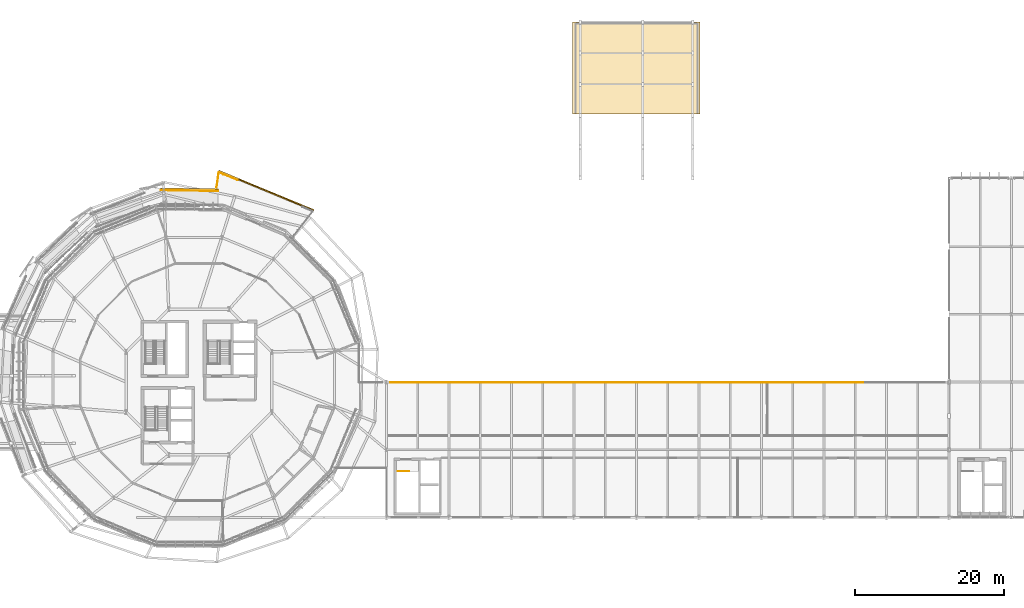
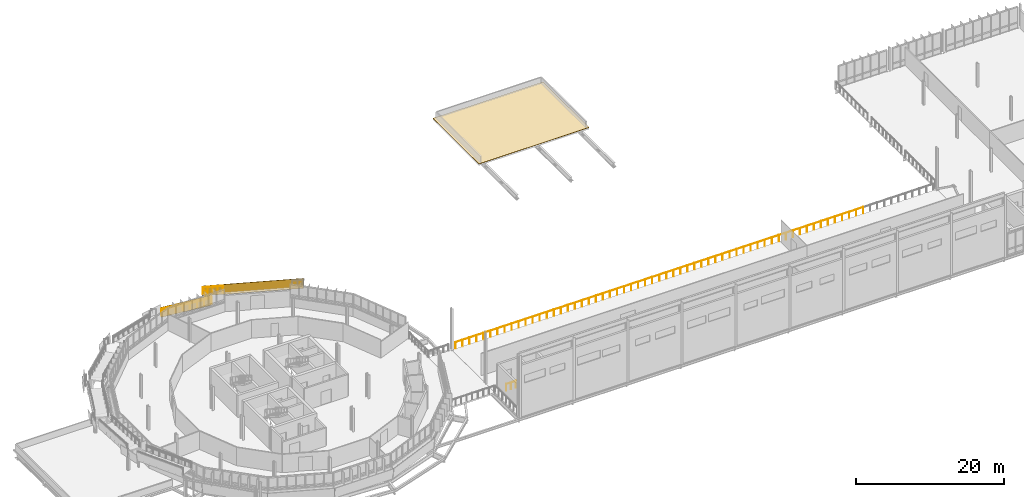
# One storey, part 59 of 61: 35 railings, 3 coverings, 1 element without a shape of its own.
"""IFC4 building model written with IfcOpenShell, lengths in metres."""

from ifc_helpers import new_model, si_unit, derived_unit, direction, frame, origin, origin_2d, place, context, subcontext, project, spatial, polyline, circle, outline, extrude, material, layer, layer_set, type_object, element, aggregate, save


model = new_model("IFC4")

# Units and contexts
model_context = context("Model", 3, precision=1e-05, world=origin(), true_north=direction((0.0, 1.0)))
body_context = subcontext(model_context, "Body", "Model", "MODEL_VIEW")
ifc_project = project(units=[si_unit("LENGTHUNIT", "METRE"), si_unit("AREAUNIT", "SQUARE_METRE"), si_unit("VOLUMEUNIT", "CUBIC_METRE"), si_unit("PLANEANGLEUNIT", "RADIAN"), si_unit("MASSUNIT", "GRAM", prefix="KILO"), derived_unit("THERMALTRANSMITTANCEUNIT", [(si_unit("MASSUNIT", "GRAM", prefix="KILO"), 1), (si_unit("TIMEUNIT", "SECOND"), -3), (si_unit("THERMODYNAMICTEMPERATUREUNIT", "KELVIN"), -1)])], contexts=[model_context])

# Site, building, storey
site_placement = place(None, origin())
site = spatial("IfcSite", under=ifc_project, at=site_placement, CompositionType="ELEMENT")
building_placement = place(site_placement, origin())
building = spatial("IfcBuilding", under=site, at=building_placement, Name="Makaiwela Harbour Ferry Terminal", CompositionType="ELEMENT")
storey_placement = place(building_placement, frame((0.0, 0.0, 13.800048828125)))
storey = spatial("IfcBuildingStorey", under=building, at=storey_placement, Name="L03", CompositionType="ELEMENT", Elevation=13.800048828125)

# Roof, covering
ifc_material_1 = material(Name="Standing-seam marine zinc roofing", Category="aluminium")
ifc_layer_1 = layer(ifc_material_1, 0.219970703125)
ifc_layer_set_1 = layer_set([ifc_layer_1], Name="Standing-seam marine zinc roofing")
roof_type = type_object("IfcRoofType", Name="RF-FLAT-01", PredefinedType="FLAT_ROOF", material=ifc_layer_set_1)
roof_placement = place(storey_placement, origin())
roof = element("IfcRoof", 1, at=roof_placement, inside=storey, type_object=roof_type, Name="Roof Assembly RF-01", PredefinedType="FLAT_ROOF")
ifc_layer_2 = layer(ifc_material_1, 0.044921875)
ifc_layer_set_2 = layer_set([ifc_layer_2], Name="Standing-seam marine zinc roofing")
covering_type_1 = type_object("IfcCoveringType", Name="COV-ROOF-ZINC", PredefinedType="ROOFING", material=ifc_layer_set_2)
covering_1_placement = place(storey_placement, origin())
covering_1 = element("IfcCovering", 2, at=covering_1_placement, type_object=covering_type_1, Name="Architectural Covering RFG-01", PredefinedType="ROOFING", context=body_context, shape_type="SweptSolid", body=[
    extrude(outline(polyline([(88.02001953125, 103.60009765625), (105.179931640625, 103.60009765625), (105.179931640625, 116.0), (88.02001953125, 116.0), (88.02001953125, 103.60009765625)])), origin(), (0.0, 0.0, 1.0), 0.044921875),
])
aggregate(roof, [covering_1])

# Coverings
ifc_material_2 = material(Name="White glazed marine ceramic rainscreen tile", Category="masonry")
ifc_layer_3 = layer(ifc_material_2, 0.054931640625)
ifc_layer_set_3 = layer_set([ifc_layer_3], Name="White glazed marine ceramic rainscreen tile")
covering_type_2 = type_object("IfcCoveringType", Name="ENV-CLD-CERAMIC", PredefinedType="CLADDING", material=ifc_layer_set_3)
covering_2_placement = place(storey_placement, frame((53.181884765625, 90.550048828125, -0.340087890625), z_axis=(-0.380368791378, -0.918281535408, 0.10990270367), x_axis=(-0.923878080725, 0.382686937267, -3.69527e-07)))
element("IfcCovering", 3, at=covering_2_placement, inside=storey, type_object=covering_type_2, Name="Coiled Ramp Ceramic Fascia CLD-R0003", PredefinedType="CLADDING", context=body_context, shape_type="SweptSolid", body=[
    extrude(outline(polyline([(0.0, 0.0), (13.809487838534082, -1.1102230246251565e-16), (13.809361563660456, -1.5292885283672115), (9.928129842668751e-05, -1.5292782603033113), (0.0, 0.0)])), origin(), (0.0, 0.0, -1.0), 0.054931640625),
])
covering_3_placement = place(storey_placement, frame((40.362548828125, 93.314697265625, -0.340087890625), z_axis=(-0.006558653451, -0.993917424488, 0.109932421805), x_axis=(-0.996325173542, 0.015883699093, 0.084165650171)))
element("IfcCovering", 4, at=covering_3_placement, inside=storey, type_object=covering_type_2, Name="Coiled Ramp Ceramic Fascia CLD-R0050", PredefinedType="CLADDING", context=body_context, shape_type="SweptSolid", body=[
    extrude(outline(polyline([(0.0, 0.0), (7.724429977765887, 1.1102230246251565e-16), (7.852339026613645, -1.5236992103922073), (0.12792571924597007, -1.5239143941569087), (0.0, 0.0)])), origin(), (0.0, 0.0, -1.0), 0.054931640625),
])

# Railings
ifc_material_3 = material(Name="Marine grade 316L brushed stainless steel", Category="steel")
railing_type_1 = type_object("IfcRailingType", Name="INT-RL-GRD110", PredefinedType="GUARDRAIL", material=ifc_material_3)
railing_1_placement = place(storey_placement, frame((64.570068359375, 55.60009765625, 0.0)))
element("IfcRailing", 5, at=railing_1_placement, inside=storey, type_object=railing_type_1, Name="Stair top well guardrail RL-0070", PredefinedType="GUARDRAIL", context=body_context, shape_type="SweptSolid", body=[
    extrude(circle(Radius=0.02392578125, at=origin_2d()), frame((0.0, 0.0, 1.09619140625), z_axis=(1.0, 0.0, 0.0), x_axis=(0.0, 1.0, 0.0)), (0.0, 0.0, 1.0), 1.47998046875),
    extrude(circle(Radius=0.02099609375, at=origin_2d()), origin(), (0.0, 0.0, 1.0), 1.072021484375),
    extrude(circle(Radius=0.02099609375, at=origin_2d()), frame((0.739990234375, 0.0, 0.0)), (0.0, 0.0, 1.0), 1.072021484375),
    extrude(circle(Radius=0.02099609375, at=origin_2d()), frame((1.47998046875, 0.0, 0.0)), (0.0, 0.0, 1.0), 1.072021484375),
])
railing_2_placement = place(storey_placement, frame((40.361572265625, 93.257568359375, 0.0)))
element("IfcRailing", 6, at=railing_2_placement, inside=storey, type_object=railing_type_1, Name="Ramp guardrail RL-0195", PredefinedType="GUARDRAIL", context=body_context, shape_type="SweptSolid", body=[
    extrude(circle(Radius=0.02392578125, at=origin_2d()), frame((0.0, 0.0, 1.09619140625), z_axis=(-0.996327437629, 0.015898001495, 0.084136143101), x_axis=(-0.015954572122, -0.999872717714, 0.0)), (0.0, 0.0, 1.0), 7.724365234375),
    extrude(circle(Radius=0.02099609375, at=origin_2d()), origin(), (0.0, 0.0, 1.0), 1.072021484375),
    extrude(circle(Radius=0.02099609375, at=origin_2d()), frame((-1.099365234375, 0.017578125, 0.0927734375)), (0.0, 0.0, 1.0), 1.072021484375),
    extrude(circle(Radius=0.02099609375, at=origin_2d()), frame((-2.198974609375, 0.03515625, 0.185791015625)), (0.0, 0.0, 1.0), 1.072021484375),
    extrude(circle(Radius=0.02099609375, at=origin_2d()), frame((-3.29833984375, 0.052734375, 0.278564453125)), (0.0, 0.0, 1.0), 1.072021484375),
    extrude(circle(Radius=0.02099609375, at=origin_2d()), frame((-4.397705078125, 0.070068359375, 0.371337890625)), (0.0, 0.0, 1.0), 1.072021484375),
    extrude(circle(Radius=0.02099609375, at=origin_2d()), frame((-5.4970703125, 0.087646484375, 0.464111328125)), (0.0, 0.0, 1.0), 1.072021484375),
    extrude(circle(Radius=0.02099609375, at=origin_2d()), frame((-6.5966796875, 0.105224609375, 0.55712890625)), (0.0, 0.0, 1.0), 1.072021484375),
    extrude(circle(Radius=0.02099609375, at=origin_2d()), frame((-7.696044921875, 0.122802734375, 0.64990234375)), (0.0, 0.0, 1.0), 1.072021484375),
])
railing_3_placement = place(storey_placement, frame((40.174560546875, 93.74609375, 0.0)))
element("IfcRailing", 7, at=railing_3_placement, inside=storey, type_object=railing_type_1, Name="Deck edge guardrail RL-0647", PredefinedType="GUARDRAIL", context=body_context, shape_type="SweptSolid", body=[
    extrude(circle(Radius=0.02392578125, at=origin_2d()), frame((0.0, 0.0, 1.09619140625), z_axis=(0.139985580281, 0.990153542292, 0.0), x_axis=(-0.990153542292, 0.139985580281, 0.0)), (0.0, 0.0, 1.0), 2.047607421875),
    extrude(circle(Radius=0.02099609375, at=origin_2d()), origin(), (0.0, 0.0, 1.0), 1.072021484375),
    extrude(circle(Radius=0.02099609375, at=origin_2d()), frame((0.143310546875, 1.013671875, 0.0)), (0.0, 0.0, 1.0), 1.072021484375),
    extrude(circle(Radius=0.02099609375, at=origin_2d()), frame((0.28662109375, 2.02734375, 0.0)), (0.0, 0.0, 1.0), 1.072021484375),
])
railing_4_placement = place(storey_placement, frame((40.461181640625, 95.7734375, 0.0)))
element("IfcRailing", 8, at=railing_4_placement, inside=storey, type_object=railing_type_1, Name="Deck edge guardrail RL-0648", PredefinedType="GUARDRAIL", context=body_context, shape_type="SweptSolid", body=[
    extrude(circle(Radius=0.02392578125, at=origin_2d()), frame((0.0, 0.0, 1.09619140625), z_axis=(0.923897370276, -0.382640365352, 0.0), x_axis=(0.382640365352, 0.923897370276, 0.0)), (0.0, 0.0, 1.0), 1.369873046875),
    extrude(circle(Radius=0.02099609375, at=origin_2d()), origin(), (0.0, 0.0, 1.0), 1.072021484375),
    extrude(circle(Radius=0.02099609375, at=origin_2d()), frame((0.6328125, -0.26220703125, 0.0)), (0.0, 0.0, 1.0), 1.072021484375),
    extrude(circle(Radius=0.02099609375, at=origin_2d()), frame((1.265625, -0.524169921875, 0.0)), (0.0, 0.0, 1.0), 1.072021484375),
])
railing_5_placement = place(storey_placement, frame((41.726806640625, 95.249267578125, 0.0)))
element("IfcRailing", 9, at=railing_5_placement, inside=storey, type_object=railing_type_1, Name="Deck edge guardrail RL-0649", PredefinedType="GUARDRAIL", context=body_context, shape_type="SweptSolid", body=[
    extrude(circle(Radius=0.02392578125, at=origin_2d()), frame((0.0, 0.0, 1.09619140625), z_axis=(0.923871269851, -0.382703379582, 0.0), x_axis=(0.382703379582, 0.923871269851, 0.0)), (0.0, 0.0, 1.0), 1.36962890625),
    extrude(circle(Radius=0.02099609375, at=origin_2d()), origin(), (0.0, 0.0, 1.0), 1.072021484375),
    extrude(circle(Radius=0.02099609375, at=origin_2d()), frame((0.6328125, -0.26220703125, 0.0)), (0.0, 0.0, 1.0), 1.072021484375),
    extrude(circle(Radius=0.02099609375, at=origin_2d()), frame((1.265380859375, -0.524169921875, 0.0)), (0.0, 0.0, 1.0), 1.072021484375),
])
railing_6_placement = place(storey_placement, frame((63.5478515625, 67.554931640625, 0.0)))
element("IfcRailing", 10, at=railing_6_placement, inside=storey, type_object=railing_type_1, Name="Deck edge guardrail RL-0667", PredefinedType="GUARDRAIL", context=body_context, shape_type="SweptSolid", body=[
    extrude(circle(Radius=0.02392578125, at=origin_2d()), frame((0.0, 0.0, 1.09619140625), z_axis=(1.0, 0.0, 0.0), x_axis=(0.0, 1.0, 0.0)), (0.0, 0.0, 1.0), 2.191162109375),
    extrude(circle(Radius=0.02099609375, at=origin_2d()), origin(), (0.0, 0.0, 1.0), 1.072021484375),
    extrude(circle(Radius=0.02099609375, at=origin_2d()), frame((1.095703125, 0.0, 0.0)), (0.0, 0.0, 1.0), 1.072021484375),
    extrude(circle(Radius=0.02099609375, at=origin_2d()), frame((2.191162109375, 0.0, 0.0)), (0.0, 0.0, 1.0), 1.072021484375),
])
railing_7_placement = place(storey_placement, frame((65.739013671875, 67.554931640625, 0.0)))
element("IfcRailing", 11, at=railing_7_placement, inside=storey, type_object=railing_type_1, Name="Deck edge guardrail RL-0668", PredefinedType="GUARDRAIL", context=body_context, shape_type="SweptSolid", body=[
    extrude(circle(Radius=0.02392578125, at=origin_2d()), frame((0.0, 0.0, 1.09619140625), z_axis=(1.0, 0.0, 0.0), x_axis=(0.0, 1.0, 0.0)), (0.0, 0.0, 1.0), 2.19140625),
    extrude(circle(Radius=0.02099609375, at=origin_2d()), origin(), (0.0, 0.0, 1.0), 1.072021484375),
    extrude(circle(Radius=0.02099609375, at=origin_2d()), frame((1.095703125, 0.0, 0.0)), (0.0, 0.0, 1.0), 1.072021484375),
    extrude(circle(Radius=0.02099609375, at=origin_2d()), frame((2.19140625, 0.0, 0.0)), (0.0, 0.0, 1.0), 1.072021484375),
])
railing_8_placement = place(storey_placement, frame((67.930419921875, 67.554931640625, 0.0)))
element("IfcRailing", 12, at=railing_8_placement, inside=storey, type_object=railing_type_1, Name="Deck edge guardrail RL-0669", PredefinedType="GUARDRAIL", context=body_context, shape_type="SweptSolid", body=[
    extrude(circle(Radius=0.02392578125, at=origin_2d()), frame((0.0, 0.0, 1.09619140625), z_axis=(1.0, 0.0, 0.0), x_axis=(0.0, 1.0, 0.0)), (0.0, 0.0, 1.0), 2.191162109375),
    extrude(circle(Radius=0.02099609375, at=origin_2d()), origin(), (0.0, 0.0, 1.0), 1.072021484375),
    extrude(circle(Radius=0.02099609375, at=origin_2d()), frame((1.095703125, 0.0, 0.0)), (0.0, 0.0, 1.0), 1.072021484375),
    extrude(circle(Radius=0.02099609375, at=origin_2d()), frame((2.191162109375, 0.0, 0.0)), (0.0, 0.0, 1.0), 1.072021484375),
])
for number, where, name in (
    (13, (70.12158203125, 67.554931640625, 0.0), "Deck edge guardrail RL-0670"),
    (14, (72.31298828125, 67.554931640625, 0.0), "Deck edge guardrail RL-0671"),
):
    element("IfcRailing", number, at=place(storey_placement, frame(where)), inside=storey, type_object=railing_type_1, Name=name, PredefinedType="GUARDRAIL", context=body_context, shape_type="SweptSolid", body=[
        extrude(circle(Radius=0.02392578125, at=origin_2d()), frame((0.0, 0.0, 1.09619140625), z_axis=(1.0, 0.0, 0.0), x_axis=(0.0, 1.0, 0.0)), (0.0, 0.0, 1.0), 2.19140625),
        extrude(circle(Radius=0.02099609375, at=origin_2d()), origin(), (0.0, 0.0, 1.0), 1.072021484375),
        extrude(circle(Radius=0.02099609375, at=origin_2d()), frame((1.095703125, 0.0, 0.0)), (0.0, 0.0, 1.0), 1.072021484375),
        extrude(circle(Radius=0.02099609375, at=origin_2d()), frame((2.19140625, 0.0, 0.0)), (0.0, 0.0, 1.0), 1.072021484375),
    ])
railing_9_placement = place(storey_placement, frame((74.50439453125, 67.554931640625, 0.0)))
element("IfcRailing", 15, at=railing_9_placement, inside=storey, type_object=railing_type_1, Name="Deck edge guardrail RL-0672", PredefinedType="GUARDRAIL", context=body_context, shape_type="SweptSolid", body=[
    extrude(circle(Radius=0.02392578125, at=origin_2d()), frame((0.0, 0.0, 1.09619140625), z_axis=(1.0, 0.0, 0.0), x_axis=(0.0, 1.0, 0.0)), (0.0, 0.0, 1.0), 2.191162109375),
    extrude(circle(Radius=0.02099609375, at=origin_2d()), origin(), (0.0, 0.0, 1.0), 1.072021484375),
    extrude(circle(Radius=0.02099609375, at=origin_2d()), frame((1.095703125, 0.0, 0.0)), (0.0, 0.0, 1.0), 1.072021484375),
    extrude(circle(Radius=0.02099609375, at=origin_2d()), frame((2.191162109375, 0.0, 0.0)), (0.0, 0.0, 1.0), 1.072021484375),
])
railing_10_placement = place(storey_placement, frame((76.695556640625, 67.554931640625, 0.0)))
element("IfcRailing", 16, at=railing_10_placement, inside=storey, type_object=railing_type_1, Name="Deck edge guardrail RL-0673", PredefinedType="GUARDRAIL", context=body_context, shape_type="SweptSolid", body=[
    extrude(circle(Radius=0.02392578125, at=origin_2d()), frame((0.0, 0.0, 1.09619140625), z_axis=(1.0, 0.0, 0.0), x_axis=(0.0, 1.0, 0.0)), (0.0, 0.0, 1.0), 2.19140625),
    extrude(circle(Radius=0.02099609375, at=origin_2d()), origin(), (0.0, 0.0, 1.0), 1.072021484375),
    extrude(circle(Radius=0.02099609375, at=origin_2d()), frame((1.095703125, 0.0, 0.0)), (0.0, 0.0, 1.0), 1.072021484375),
    extrude(circle(Radius=0.02099609375, at=origin_2d()), frame((2.19140625, 0.0, 0.0)), (0.0, 0.0, 1.0), 1.072021484375),
])
railing_11_placement = place(storey_placement, frame((78.886962890625, 67.554931640625, 0.0)))
element("IfcRailing", 17, at=railing_11_placement, inside=storey, type_object=railing_type_1, Name="Deck edge guardrail RL-0674", PredefinedType="GUARDRAIL", context=body_context, shape_type="SweptSolid", body=[
    extrude(circle(Radius=0.02392578125, at=origin_2d()), frame((0.0, 0.0, 1.09619140625), z_axis=(1.0, 0.0, 0.0), x_axis=(0.0, 1.0, 0.0)), (0.0, 0.0, 1.0), 2.191162109375),
    extrude(circle(Radius=0.02099609375, at=origin_2d()), origin(), (0.0, 0.0, 1.0), 1.072021484375),
    extrude(circle(Radius=0.02099609375, at=origin_2d()), frame((1.095703125, 0.0, 0.0)), (0.0, 0.0, 1.0), 1.072021484375),
    extrude(circle(Radius=0.02099609375, at=origin_2d()), frame((2.191162109375, 0.0, 0.0)), (0.0, 0.0, 1.0), 1.072021484375),
])
for number, where, name in (
    (18, (81.078125, 67.554931640625, 0.0), "Deck edge guardrail RL-0675"),
    (19, (83.26953125, 67.554931640625, 0.0), "Deck edge guardrail RL-0676"),
):
    element("IfcRailing", number, at=place(storey_placement, frame(where)), inside=storey, type_object=railing_type_1, Name=name, PredefinedType="GUARDRAIL", context=body_context, shape_type="SweptSolid", body=[
        extrude(circle(Radius=0.02392578125, at=origin_2d()), frame((0.0, 0.0, 1.09619140625), z_axis=(1.0, 0.0, 0.0), x_axis=(0.0, 1.0, 0.0)), (0.0, 0.0, 1.0), 2.19140625),
        extrude(circle(Radius=0.02099609375, at=origin_2d()), origin(), (0.0, 0.0, 1.0), 1.072021484375),
        extrude(circle(Radius=0.02099609375, at=origin_2d()), frame((1.095703125, 0.0, 0.0)), (0.0, 0.0, 1.0), 1.072021484375),
        extrude(circle(Radius=0.02099609375, at=origin_2d()), frame((2.19140625, 0.0, 0.0)), (0.0, 0.0, 1.0), 1.072021484375),
    ])
railing_12_placement = place(storey_placement, frame((85.4609375, 67.554931640625, 0.0)))
element("IfcRailing", 20, at=railing_12_placement, inside=storey, type_object=railing_type_1, Name="Deck edge guardrail RL-0677", PredefinedType="GUARDRAIL", context=body_context, shape_type="SweptSolid", body=[
    extrude(circle(Radius=0.02392578125, at=origin_2d()), frame((0.0, 0.0, 1.09619140625), z_axis=(1.0, 0.0, 0.0), x_axis=(0.0, 1.0, 0.0)), (0.0, 0.0, 1.0), 2.191162109375),
    extrude(circle(Radius=0.02099609375, at=origin_2d()), origin(), (0.0, 0.0, 1.0), 1.072021484375),
    extrude(circle(Radius=0.02099609375, at=origin_2d()), frame((1.095703125, 0.0, 0.0)), (0.0, 0.0, 1.0), 1.072021484375),
    extrude(circle(Radius=0.02099609375, at=origin_2d()), frame((2.191162109375, 0.0, 0.0)), (0.0, 0.0, 1.0), 1.072021484375),
])
for number, where, name in (
    (21, (87.652099609375, 67.554931640625, 0.0), "Deck edge guardrail RL-0678"),
    (22, (89.843505859375, 67.554931640625, 0.0), "Deck edge guardrail RL-0679"),
):
    element("IfcRailing", number, at=place(storey_placement, frame(where)), inside=storey, type_object=railing_type_1, Name=name, PredefinedType="GUARDRAIL", context=body_context, shape_type="SweptSolid", body=[
        extrude(circle(Radius=0.02392578125, at=origin_2d()), frame((0.0, 0.0, 1.09619140625), z_axis=(1.0, 0.0, 0.0), x_axis=(0.0, 1.0, 0.0)), (0.0, 0.0, 1.0), 2.19140625),
        extrude(circle(Radius=0.02099609375, at=origin_2d()), origin(), (0.0, 0.0, 1.0), 1.072021484375),
        extrude(circle(Radius=0.02099609375, at=origin_2d()), frame((1.095703125, 0.0, 0.0)), (0.0, 0.0, 1.0), 1.072021484375),
        extrude(circle(Radius=0.02099609375, at=origin_2d()), frame((2.19140625, 0.0, 0.0)), (0.0, 0.0, 1.0), 1.072021484375),
    ])
railing_13_placement = place(storey_placement, frame((92.034912109375, 67.554931640625, 0.0)))
element("IfcRailing", 23, at=railing_13_placement, inside=storey, type_object=railing_type_1, Name="Deck edge guardrail RL-0680", PredefinedType="GUARDRAIL", context=body_context, shape_type="SweptSolid", body=[
    extrude(circle(Radius=0.02392578125, at=origin_2d()), frame((0.0, 0.0, 1.09619140625), z_axis=(1.0, 0.0, 0.0), x_axis=(0.0, 1.0, 0.0)), (0.0, 0.0, 1.0), 2.191162109375),
    extrude(circle(Radius=0.02099609375, at=origin_2d()), origin(), (0.0, 0.0, 1.0), 1.072021484375),
    extrude(circle(Radius=0.02099609375, at=origin_2d()), frame((1.095703125, 0.0, 0.0)), (0.0, 0.0, 1.0), 1.072021484375),
    extrude(circle(Radius=0.02099609375, at=origin_2d()), frame((2.191162109375, 0.0, 0.0)), (0.0, 0.0, 1.0), 1.072021484375),
])
railing_14_placement = place(storey_placement, frame((94.22607421875, 67.554931640625, 0.0)))
element("IfcRailing", 24, at=railing_14_placement, inside=storey, type_object=railing_type_1, Name="Deck edge guardrail RL-0681", PredefinedType="GUARDRAIL", context=body_context, shape_type="SweptSolid", body=[
    extrude(circle(Radius=0.02392578125, at=origin_2d()), frame((0.0, 0.0, 1.09619140625), z_axis=(1.0, 0.0, 0.0), x_axis=(0.0, 1.0, 0.0)), (0.0, 0.0, 1.0), 2.19140625),
    extrude(circle(Radius=0.02099609375, at=origin_2d()), origin(), (0.0, 0.0, 1.0), 1.072021484375),
    extrude(circle(Radius=0.02099609375, at=origin_2d()), frame((1.095703125, 0.0, 0.0)), (0.0, 0.0, 1.0), 1.072021484375),
    extrude(circle(Radius=0.02099609375, at=origin_2d()), frame((2.19140625, 0.0, 0.0)), (0.0, 0.0, 1.0), 1.072021484375),
])
railing_15_placement = place(storey_placement, frame((96.41748046875, 67.554931640625, 0.0)))
element("IfcRailing", 25, at=railing_15_placement, inside=storey, type_object=railing_type_1, Name="Deck edge guardrail RL-0682", PredefinedType="GUARDRAIL", context=body_context, shape_type="SweptSolid", body=[
    extrude(circle(Radius=0.02392578125, at=origin_2d()), frame((0.0, 0.0, 1.09619140625), z_axis=(1.0, 0.0, 0.0), x_axis=(0.0, 1.0, 0.0)), (0.0, 0.0, 1.0), 2.191162109375),
    extrude(circle(Radius=0.02099609375, at=origin_2d()), origin(), (0.0, 0.0, 1.0), 1.072021484375),
    extrude(circle(Radius=0.02099609375, at=origin_2d()), frame((1.095703125, 0.0, 0.0)), (0.0, 0.0, 1.0), 1.072021484375),
    extrude(circle(Radius=0.02099609375, at=origin_2d()), frame((2.191162109375, 0.0, 0.0)), (0.0, 0.0, 1.0), 1.072021484375),
])
railing_16_placement = place(storey_placement, frame((98.608642578125, 67.554931640625, 0.0)))
element("IfcRailing", 26, at=railing_16_placement, inside=storey, type_object=railing_type_1, Name="Deck edge guardrail RL-0683", PredefinedType="GUARDRAIL", context=body_context, shape_type="SweptSolid", body=[
    extrude(circle(Radius=0.02392578125, at=origin_2d()), frame((0.0, 0.0, 1.09619140625), z_axis=(1.0, 0.0, 0.0), x_axis=(0.0, 1.0, 0.0)), (0.0, 0.0, 1.0), 2.19140625),
    extrude(circle(Radius=0.02099609375, at=origin_2d()), origin(), (0.0, 0.0, 1.0), 1.072021484375),
    extrude(circle(Radius=0.02099609375, at=origin_2d()), frame((1.095703125, 0.0, 0.0)), (0.0, 0.0, 1.0), 1.072021484375),
    extrude(circle(Radius=0.02099609375, at=origin_2d()), frame((2.19140625, 0.0, 0.0)), (0.0, 0.0, 1.0), 1.072021484375),
])
railing_17_placement = place(storey_placement, frame((100.800048828125, 67.554931640625, 0.0)))
element("IfcRailing", 27, at=railing_17_placement, inside=storey, type_object=railing_type_1, Name="Deck edge guardrail RL-0684", PredefinedType="GUARDRAIL", context=body_context, shape_type="SweptSolid", body=[
    extrude(circle(Radius=0.02392578125, at=origin_2d()), frame((0.0, 0.0, 1.09619140625), z_axis=(1.0, 0.0, 0.0), x_axis=(0.0, 1.0, 0.0)), (0.0, 0.0, 1.0), 2.191162109375),
    extrude(circle(Radius=0.02099609375, at=origin_2d()), origin(), (0.0, 0.0, 1.0), 1.072021484375),
    extrude(circle(Radius=0.02099609375, at=origin_2d()), frame((1.095703125, 0.0, 0.0)), (0.0, 0.0, 1.0), 1.072021484375),
    extrude(circle(Radius=0.02099609375, at=origin_2d()), frame((2.191162109375, 0.0, 0.0)), (0.0, 0.0, 1.0), 1.072021484375),
])
railing_18_placement = place(storey_placement, frame((102.9912109375, 67.554931640625, 0.0)))
element("IfcRailing", 28, at=railing_18_placement, inside=storey, type_object=railing_type_1, Name="Deck edge guardrail RL-0685", PredefinedType="GUARDRAIL", context=body_context, shape_type="SweptSolid", body=[
    extrude(circle(Radius=0.02392578125, at=origin_2d()), frame((0.0, 0.0, 1.09619140625), z_axis=(1.0, 0.0, 0.0), x_axis=(0.0, 1.0, 0.0)), (0.0, 0.0, 1.0), 2.19140625),
    extrude(circle(Radius=0.02099609375, at=origin_2d()), origin(), (0.0, 0.0, 1.0), 1.072021484375),
    extrude(circle(Radius=0.02099609375, at=origin_2d()), frame((1.095703125, 0.0, 0.0)), (0.0, 0.0, 1.0), 1.072021484375),
    extrude(circle(Radius=0.02099609375, at=origin_2d()), frame((2.19140625, 0.0, 0.0)), (0.0, 0.0, 1.0), 1.072021484375),
])
railing_19_placement = place(storey_placement, frame((105.1826171875, 67.554931640625, 0.0)))
element("IfcRailing", 29, at=railing_19_placement, inside=storey, type_object=railing_type_1, Name="Deck edge guardrail RL-0686", PredefinedType="GUARDRAIL", context=body_context, shape_type="SweptSolid", body=[
    extrude(circle(Radius=0.02392578125, at=origin_2d()), frame((0.0, 0.0, 1.09619140625), z_axis=(1.0, 0.0, 0.0), x_axis=(0.0, 1.0, 0.0)), (0.0, 0.0, 1.0), 2.191162109375),
    extrude(circle(Radius=0.02099609375, at=origin_2d()), origin(), (0.0, 0.0, 1.0), 1.072021484375),
    extrude(circle(Radius=0.02099609375, at=origin_2d()), frame((1.095703125, 0.0, 0.0)), (0.0, 0.0, 1.0), 1.072021484375),
    extrude(circle(Radius=0.02099609375, at=origin_2d()), frame((2.191162109375, 0.0, 0.0)), (0.0, 0.0, 1.0), 1.072021484375),
])
for number, where, name in (
    (30, (107.373779296875, 67.554931640625, 0.0), "Deck edge guardrail RL-0687"),
    (31, (109.565185546875, 67.554931640625, 0.0), "Deck edge guardrail RL-0688"),
):
    element("IfcRailing", number, at=place(storey_placement, frame(where)), inside=storey, type_object=railing_type_1, Name=name, PredefinedType="GUARDRAIL", context=body_context, shape_type="SweptSolid", body=[
        extrude(circle(Radius=0.02392578125, at=origin_2d()), frame((0.0, 0.0, 1.09619140625), z_axis=(1.0, 0.0, 0.0), x_axis=(0.0, 1.0, 0.0)), (0.0, 0.0, 1.0), 2.19140625),
        extrude(circle(Radius=0.02099609375, at=origin_2d()), origin(), (0.0, 0.0, 1.0), 1.072021484375),
        extrude(circle(Radius=0.02099609375, at=origin_2d()), frame((1.095703125, 0.0, 0.0)), (0.0, 0.0, 1.0), 1.072021484375),
        extrude(circle(Radius=0.02099609375, at=origin_2d()), frame((2.19140625, 0.0, 0.0)), (0.0, 0.0, 1.0), 1.072021484375),
    ])
railing_20_placement = place(storey_placement, frame((111.756591796875, 67.554931640625, 0.0)))
element("IfcRailing", 32, at=railing_20_placement, inside=storey, type_object=railing_type_1, Name="Deck edge guardrail RL-0689", PredefinedType="GUARDRAIL", context=body_context, shape_type="SweptSolid", body=[
    extrude(circle(Radius=0.02392578125, at=origin_2d()), frame((0.0, 0.0, 1.09619140625), z_axis=(1.0, 0.0, 0.0), x_axis=(0.0, 1.0, 0.0)), (0.0, 0.0, 1.0), 2.191162109375),
    extrude(circle(Radius=0.02099609375, at=origin_2d()), origin(), (0.0, 0.0, 1.0), 1.072021484375),
    extrude(circle(Radius=0.02099609375, at=origin_2d()), frame((1.095703125, 0.0, 0.0)), (0.0, 0.0, 1.0), 1.072021484375),
    extrude(circle(Radius=0.02099609375, at=origin_2d()), frame((2.191162109375, 0.0, 0.0)), (0.0, 0.0, 1.0), 1.072021484375),
])
for number, where, name in (
    (33, (113.94775390625, 67.554931640625, 0.0), "Deck edge guardrail RL-0690"),
    (34, (116.13916015625, 67.554931640625, 0.0), "Deck edge guardrail RL-0691"),
):
    element("IfcRailing", number, at=place(storey_placement, frame(where)), inside=storey, type_object=railing_type_1, Name=name, PredefinedType="GUARDRAIL", context=body_context, shape_type="SweptSolid", body=[
        extrude(circle(Radius=0.02392578125, at=origin_2d()), frame((0.0, 0.0, 1.09619140625), z_axis=(1.0, 0.0, 0.0), x_axis=(0.0, 1.0, 0.0)), (0.0, 0.0, 1.0), 2.19140625),
        extrude(circle(Radius=0.02099609375, at=origin_2d()), origin(), (0.0, 0.0, 1.0), 1.072021484375),
        extrude(circle(Radius=0.02099609375, at=origin_2d()), frame((1.095703125, 0.0, 0.0)), (0.0, 0.0, 1.0), 1.072021484375),
        extrude(circle(Radius=0.02099609375, at=origin_2d()), frame((2.19140625, 0.0, 0.0)), (0.0, 0.0, 1.0), 1.072021484375),
    ])
railing_21_placement = place(storey_placement, frame((118.33056640625, 67.554931640625, 0.0)))
element("IfcRailing", 35, at=railing_21_placement, inside=storey, type_object=railing_type_1, Name="Deck edge guardrail RL-0692", PredefinedType="GUARDRAIL", context=body_context, shape_type="SweptSolid", body=[
    extrude(circle(Radius=0.02392578125, at=origin_2d()), frame((0.0, 0.0, 1.09619140625), z_axis=(1.0, 0.0, 0.0), x_axis=(0.0, 1.0, 0.0)), (0.0, 0.0, 1.0), 2.191162109375),
    extrude(circle(Radius=0.02099609375, at=origin_2d()), origin(), (0.0, 0.0, 1.0), 1.072021484375),
    extrude(circle(Radius=0.02099609375, at=origin_2d()), frame((1.095703125, 0.0, 0.0)), (0.0, 0.0, 1.0), 1.072021484375),
    extrude(circle(Radius=0.02099609375, at=origin_2d()), frame((2.191162109375, 0.0, 0.0)), (0.0, 0.0, 1.0), 1.072021484375),
])
railing_22_placement = place(storey_placement, frame((120.521728515625, 67.554931640625, 0.0)))
element("IfcRailing", 36, at=railing_22_placement, inside=storey, type_object=railing_type_1, Name="Deck edge guardrail RL-0693", PredefinedType="GUARDRAIL", context=body_context, shape_type="SweptSolid", body=[
    extrude(circle(Radius=0.02392578125, at=origin_2d()), frame((0.0, 0.0, 1.09619140625), z_axis=(1.0, 0.0, 0.0), x_axis=(0.0, 1.0, 0.0)), (0.0, 0.0, 1.0), 2.19140625),
    extrude(circle(Radius=0.02099609375, at=origin_2d()), origin(), (0.0, 0.0, 1.0), 1.072021484375),
    extrude(circle(Radius=0.02099609375, at=origin_2d()), frame((1.095703125, 0.0, 0.0)), (0.0, 0.0, 1.0), 1.072021484375),
    extrude(circle(Radius=0.02099609375, at=origin_2d()), frame((2.19140625, 0.0, 0.0)), (0.0, 0.0, 1.0), 1.072021484375),
])
railing_23_placement = place(storey_placement, frame((122.713134765625, 67.554931640625, 0.0)))
element("IfcRailing", 37, at=railing_23_placement, inside=storey, type_object=railing_type_1, Name="Deck edge guardrail RL-0694", PredefinedType="GUARDRAIL", context=body_context, shape_type="SweptSolid", body=[
    extrude(circle(Radius=0.02392578125, at=origin_2d()), frame((0.0, 0.0, 1.09619140625), z_axis=(1.0, 0.0, 0.0), x_axis=(0.0, 1.0, 0.0)), (0.0, 0.0, 1.0), 2.191162109375),
    extrude(circle(Radius=0.02099609375, at=origin_2d()), origin(), (0.0, 0.0, 1.0), 1.072021484375),
    extrude(circle(Radius=0.02099609375, at=origin_2d()), frame((1.095703125, 0.0, 0.0)), (0.0, 0.0, 1.0), 1.072021484375),
    extrude(circle(Radius=0.02099609375, at=origin_2d()), frame((2.191162109375, 0.0, 0.0)), (0.0, 0.0, 1.0), 1.072021484375),
])
railing_24_placement = place(storey_placement, frame((124.904296875, 67.554931640625, 0.0)))
element("IfcRailing", 38, at=railing_24_placement, inside=storey, type_object=railing_type_1, Name="Deck edge guardrail RL-0695", PredefinedType="GUARDRAIL", context=body_context, shape_type="SweptSolid", body=[
    extrude(circle(Radius=0.02392578125, at=origin_2d()), frame((0.0, 0.0, 1.09619140625), z_axis=(1.0, 0.0, 0.0), x_axis=(0.0, 1.0, 0.0)), (0.0, 0.0, 1.0), 2.19140625),
    extrude(circle(Radius=0.02099609375, at=origin_2d()), origin(), (0.0, 0.0, 1.0), 1.072021484375),
    extrude(circle(Radius=0.02099609375, at=origin_2d()), frame((1.095703125, 0.0, 0.0)), (0.0, 0.0, 1.0), 1.072021484375),
    extrude(circle(Radius=0.02099609375, at=origin_2d()), frame((2.19140625, 0.0, 0.0)), (0.0, 0.0, 1.0), 1.072021484375),
])
railing_type_2 = type_object("IfcRailingType", Name="INT-RL-HND090", PredefinedType="HANDRAIL", material=ifc_material_3)
railing_25_placement = place(storey_placement, frame((40.361572265625, 93.257568359375, 0.0)))
element("IfcRailing", 39, at=railing_25_placement, inside=storey, type_object=railing_type_2, Name="Ramp handrail RL-0196", PredefinedType="HANDRAIL", context=body_context, shape_type="SweptSolid", body=[
    extrude(circle(Radius=0.02392578125, at=origin_2d()), frame((0.0, 0.0, 0.89111328125), z_axis=(-0.996327437629, 0.015898001495, 0.084136143101), x_axis=(-0.015954572122, -0.999872717714, 0.0)), (0.0, 0.0, 1.0), 7.724365234375),
    extrude(circle(Radius=0.02099609375, at=origin_2d()), origin(), (0.0, 0.0, 1.0), 0.866943359375),
    extrude(circle(Radius=0.02099609375, at=origin_2d()), frame((-1.099365234375, 0.017578125, 0.0927734375)), (0.0, 0.0, 1.0), 0.866943359375),
    extrude(circle(Radius=0.02099609375, at=origin_2d()), frame((-2.198974609375, 0.03515625, 0.185791015625)), (0.0, 0.0, 1.0), 0.866943359375),
    extrude(circle(Radius=0.02099609375, at=origin_2d()), frame((-3.29833984375, 0.052734375, 0.278564453125)), (0.0, 0.0, 1.0), 0.866943359375),
    extrude(circle(Radius=0.02099609375, at=origin_2d()), frame((-4.397705078125, 0.070068359375, 0.371337890625)), (0.0, 0.0, 1.0), 0.866943359375),
    extrude(circle(Radius=0.02099609375, at=origin_2d()), frame((-5.4970703125, 0.087646484375, 0.464111328125)), (0.0, 0.0, 1.0), 0.866943359375),
    extrude(circle(Radius=0.02099609375, at=origin_2d()), frame((-6.5966796875, 0.105224609375, 0.55712890625)), (0.0, 0.0, 1.0), 0.866943359375),
    extrude(circle(Radius=0.02099609375, at=origin_2d()), frame((-7.696044921875, 0.122802734375, 0.64990234375)), (0.0, 0.0, 1.0), 0.866943359375),
])

save(model, "model.ifc")
